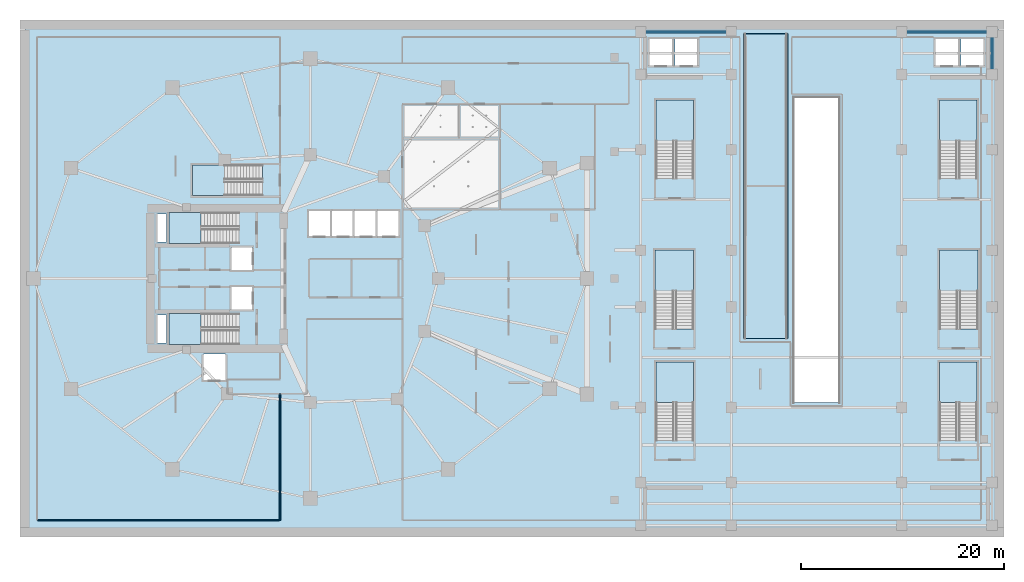
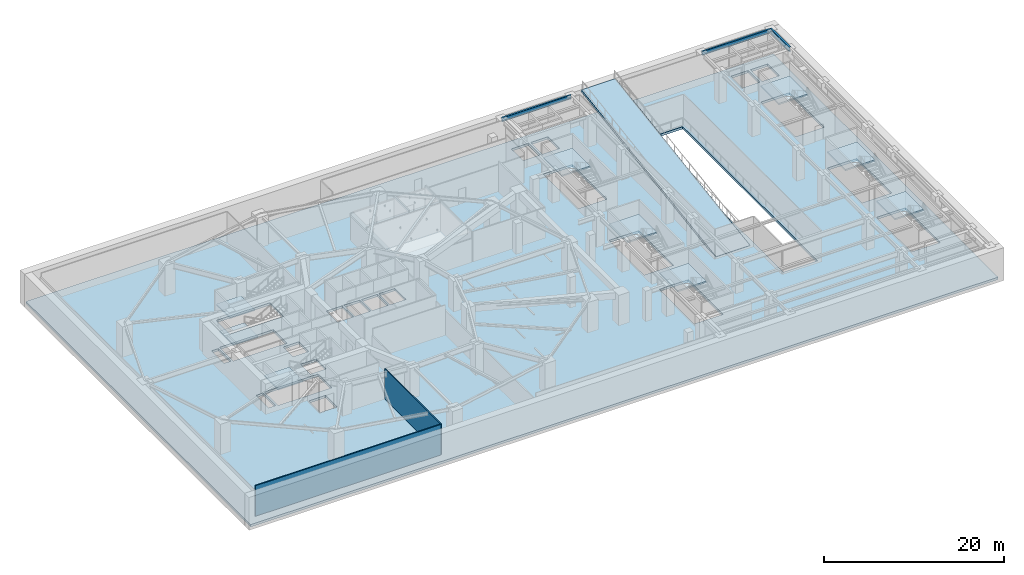
# One storey, part 3 of 16: 11 slabs, 3 beams, 2 walls, 9 elements without a shape of their own.
"""IFC4 building model written with IfcOpenShell, lengths in metres."""

from ifc_helpers import new_model, si_unit, direction, frame, frame_2d, origin, origin_2d, place, context, subcontext, project, spatial, polyline, rectangle, i_section, outline, extrude, material, layer, layer_set, material_profile, profile_set, type_object, element, aggregate, save


model = new_model("IFC4")

# Units and contexts
model_context = context("Model", 3, precision=1e-05, world=origin(), true_north=direction((0.0, 1.0)))
body_context = subcontext(model_context, "Body", "Model", "MODEL_VIEW")
ifc_project = project(units=[si_unit("LENGTHUNIT", "METRE"), si_unit("AREAUNIT", "SQUARE_METRE"), si_unit("VOLUMEUNIT", "CUBIC_METRE"), si_unit("PLANEANGLEUNIT", "RADIAN"), si_unit("MASSUNIT", "GRAM", prefix="KILO")], contexts=[model_context])

# Site, building, storey
site_placement = place(None, origin())
site = spatial("IfcSite", under=ifc_project, at=site_placement, CompositionType="ELEMENT")
building_placement = place(site_placement, origin())
building = spatial("IfcBuilding", under=site, at=building_placement, Name="Kolvaren Gate Tower and Convention Centre", CompositionType="ELEMENT")
storey_placement = place(building_placement, frame((0.0, 0.0, -4.5)))
storey = spatial("IfcBuildingStorey", under=building, at=storey_placement, Name="B1", CompositionType="ELEMENT", Elevation=-4.5)

# Beams
ifc_material_1 = material(Name="Structural steel ASTM A992 Grade 345 MPa", Category="steel")
ifc_material_profile_1 = material_profile(ifc_material_1, i_section(OverallWidth=0.2119140625, OverallDepth=0.5439453125, WebThickness=0.01318359375, FlangeThickness=0.021240234375, at=origin_2d()), Name="W530X123")
ifc_profile_set_1 = profile_set([ifc_material_profile_1], Name="Structural steel ASTM A992 Grade 345 MPa")
beam_type_1 = type_object("IfcBeamType", Name="STR-BM-W530X123", PredefinedType="BEAM", material=ifc_profile_set_1)
for number, where, z_axis, x_axis, name in (
    (1, (62.699951171875, 51.300048828125, 3.867919921875), (1.0, 0.0, 0.0), (0.0, 1.0, 0.0), "Convention B1 Transverse Girder CTG-18"),
    (2, (88.39990234375, 51.300048828125, 3.867919921875), (1.0, 0.0, 0.0), (0.0, 1.0, 0.0), "Convention B1 Transverse Girder CTG-38"),
):
    element("IfcBeam", number, at=place(storey_placement, frame(where, z_axis=z_axis, x_axis=x_axis)), inside=storey, type_object=beam_type_1, Name=name, PredefinedType="BEAM", context=body_context, shape_type="SweptSolid", body=[
        extrude(i_section(OverallWidth=0.2119140625, OverallDepth=0.5439453125, WebThickness=0.01318359375, FlangeThickness=0.021240234375, at=origin_2d()), origin(), (0.0, 0.0, 1.0), 8.900146484375),
    ])
ifc_material_profile_2 = material_profile(ifc_material_1, i_section(OverallWidth=0.22998046875, OverallDepth=0.616943359375, WebThickness=0.01318359375, FlangeThickness=0.022216796875, at=origin_2d()), Name="W610X140")
ifc_profile_set_2 = profile_set([ifc_material_profile_2], Name="Structural steel ASTM A992 Grade 345 MPa")
beam_type_2 = type_object("IfcBeamType", Name="STR-BM-W610X140", PredefinedType="BEAM", material=ifc_profile_set_2)
beam_placement = place(storey_placement, frame((97.300048828125, 47.10009765625, 3.83154296875), z_axis=(0.0, 1.0, 0.0), x_axis=(-1.0, 0.0, 0.0)))
element("IfcBeam", 3, at=beam_placement, inside=storey, type_object=beam_type_2, Name="Convention B1 Longitudinal Girder CG-47", PredefinedType="BEAM", context=body_context, shape_type="SweptSolid", body=[
    extrude(i_section(OverallWidth=0.22998046875, OverallDepth=0.616943359375, WebThickness=0.01318359375, FlangeThickness=0.022216796875, at=origin_2d()), origin(), (0.0, 0.0, 1.0), 4.199951171875),
])

# Slab
ifc_material_2 = material(Name="Concrete C50/60", Category="concrete")
ifc_layer_1 = layer(ifc_material_2, 0.320068359375)
ifc_layer_set_1 = layer_set([ifc_layer_1], Name="Concrete C50/60")
slab_type_1 = type_object("IfcSlabType", Name="STR-SL-FLR-320", PredefinedType="FLOOR", material=ifc_layer_set_1)
slab_1_placement = place(storey_placement, frame((0.0, 0.0, -0.320068359375)))
element("IfcSlab", 4, at=slab_1_placement, inside=storey, type_object=slab_type_1, Name="Basement B1 Structural Slab", PredefinedType="FLOOR", context=body_context, shape_type="SweptSolid", body=[
    extrude(outline(polyline([(2.0, 2.0), (98.0, 2.0), (98.0, 52.0), (2.0, 52.0), (2.0, 2.0)]), holes=[polyline([(94.25, 50.60009765625), (96.449951171875, 50.60009765625), (96.449951171875, 48.0), (94.25, 48.0), (94.25, 50.60009765625)]), polyline([(92.10009765625, 22.050048828125), (92.10009765625, 29.800048828125), (95.89990234375, 29.800048828125), (95.89990234375, 22.050048828125), (92.10009765625, 22.050048828125)]), polyline([(92.10009765625, 36.85009765625), (92.10009765625, 44.60009765625), (95.800048828125, 44.60009765625), (95.800048828125, 36.85009765625), (92.10009765625, 36.85009765625)]), polyline([(92.10009765625, 11.050048828125), (92.10009765625, 18.800048828125), (95.800048828125, 18.800048828125), (95.800048828125, 11.050048828125), (92.10009765625, 11.050048828125)]), polyline([(91.75, 50.60009765625), (93.949951171875, 50.60009765625), (93.949951171875, 48.0), (91.75, 48.0), (91.75, 50.60009765625)]), polyline([(77.800048828125, 44.800048828125), (82.199951171875, 44.800048828125), (82.199951171875, 14.800048828125), (77.800048828125, 14.800048828125), (77.800048828125, 44.800048828125)]), polyline([(72.800048828125, 23.1201171875), (77.199951171875, 23.1201171875), (77.199951171875, 21.10009765625), (72.800048828125, 21.10009765625), (72.800048828125, 23.1201171875)]), polyline([(66.050048828125, 48.0), (66.050048828125, 50.60009765625), (68.25, 50.60009765625), (68.25, 48.0), (66.050048828125, 48.0)]), polyline([(67.89990234375, 36.85009765625), (64.199951171875, 36.85009765625), (64.199951171875, 44.60009765625), (67.89990234375, 44.60009765625), (67.89990234375, 36.85009765625)]), polyline([(67.89990234375, 22.050048828125), (64.10009765625, 22.050048828125), (64.10009765625, 29.800048828125), (67.89990234375, 29.800048828125), (67.89990234375, 22.050048828125)]), polyline([(67.89990234375, 11.050048828125), (64.199951171875, 11.050048828125), (64.199951171875, 18.800048828125), (67.89990234375, 18.800048828125), (67.89990234375, 11.050048828125)]), polyline([(63.550048828125, 50.60009765625), (65.75, 50.60009765625), (65.75, 48.0), (63.550048828125, 48.0), (63.550048828125, 50.60009765625)]), polyline([(36.75, 33.64990234375), (38.800048828125, 33.64990234375), (38.800048828125, 31.199951171875), (36.75, 31.199951171875), (36.75, 33.64990234375)]), polyline([(34.5, 31.199951171875), (34.5, 33.64990234375), (36.550048828125, 33.64990234375), (36.550048828125, 31.199951171875), (34.5, 31.199951171875)]), polyline([(32.25, 33.64990234375), (34.300048828125, 33.64990234375), (34.300048828125, 31.199951171875), (32.25, 31.199951171875), (32.25, 33.64990234375)]), polyline([(30.0, 33.64990234375), (32.050048828125, 33.64990234375), (32.050048828125, 31.199951171875), (30.0, 31.199951171875), (30.0, 33.64990234375)]), polyline([(25.39990234375, 35.159912109375), (18.5, 35.159912109375), (18.5, 38.199951171875), (25.39990234375, 38.199951171875), (25.39990234375, 35.159912109375)]), polyline([(22.35009765625, 30.0400390625), (24.39990234375, 30.0400390625), (24.39990234375, 27.840087890625), (22.35009765625, 27.840087890625), (22.35009765625, 30.0400390625)]), polyline([(22.35009765625, 23.9599609375), (22.35009765625, 26.159912109375), (24.39990234375, 26.159912109375), (24.39990234375, 23.9599609375), (22.35009765625, 23.9599609375)]), polyline([(23.10009765625, 33.5), (23.10009765625, 30.4599609375), (16.199951171875, 30.4599609375), (16.199951171875, 33.5), (23.10009765625, 33.5)]), polyline([(23.10009765625, 20.5), (16.199951171875, 20.5), (16.199951171875, 23.5400390625), (23.10009765625, 23.5400390625), (23.10009765625, 20.5)]), polyline([(19.60009765625, 17.0), (19.60009765625, 19.550048828125), (21.75, 19.550048828125), (21.75, 17.0), (19.60009765625, 17.0)]), polyline([(15.080078125, 23.419921875), (15.969970703125, 23.419921875), (15.969970703125, 20.6298828125), (15.080078125, 20.6298828125), (15.080078125, 23.419921875)]), polyline([(15.080078125, 33.3701171875), (15.969970703125, 33.3701171875), (15.969970703125, 30.580078125), (15.080078125, 30.580078125), (15.080078125, 33.3701171875)])]), origin(), (0.0, 0.0, 1.0), 0.320068359375),
])

# Stair, slab
stair_type_1 = type_object("IfcStairType", Name="STR-STAIR-CORE", PredefinedType="HALF_TURN_STAIR", material=ifc_material_2)
stair_1_placement = place(storey_placement, origin())
stair_1 = element("IfcStair", 5, at=stair_1_placement, inside=storey, type_object=stair_type_1, Name="B1 Tower North Exit Stair ST-T1", PredefinedType="HALF_TURN_STAIR")
ifc_layer_2 = layer(ifc_material_2, 0.199951171875)
ifc_layer_set_2 = layer_set([ifc_layer_2], Name="Concrete C50/60")
slab_type_2 = type_object("IfcSlabType", Name="STR-SL-LAND-200", PredefinedType="LANDING", material=ifc_layer_set_2)
slab_2_placement = place(storey_placement, frame((0.0, 0.0, 2.050048828125)))
slab_2 = element("IfcSlab", 6, at=slab_2_placement, type_object=slab_type_2, Name="ST-T1 landing 1", PredefinedType="LANDING", context=body_context, shape_type="SweptSolid", body=[
    extrude(outline(polyline([(19.3798828125, 33.5), (16.199951171875, 33.5), (16.199951171875, 30.4599609375), (19.3798828125, 30.4599609375), (19.3798828125, 33.5)])), origin(), (0.0, 0.0, 1.0), 0.199951171875),
])
aggregate(stair_1, [slab_2])

stair_2_placement = place(storey_placement, origin())
stair_2 = element("IfcStair", 7, at=stair_2_placement, inside=storey, type_object=stair_type_1, Name="B1 Tower South Exit Stair ST-T2", PredefinedType="HALF_TURN_STAIR")
slab_3_placement = place(storey_placement, frame((0.0, 0.0, 2.050048828125)))
slab_3 = element("IfcSlab", 8, at=slab_3_placement, type_object=slab_type_2, Name="ST-T2 landing 1", PredefinedType="LANDING", context=body_context, shape_type="SweptSolid", body=[
    extrude(outline(polyline([(19.3798828125, 23.5400390625), (16.199951171875, 23.5400390625), (16.199951171875, 20.5), (19.3798828125, 20.5), (19.3798828125, 23.5400390625)])), origin(), (0.0, 0.0, 1.0), 0.199951171875),
])
aggregate(stair_2, [slab_3])

stair_3_placement = place(storey_placement, origin())
stair_3 = element("IfcStair", 9, at=stair_3_placement, inside=storey, type_object=stair_type_1, Name="B1 Tower Mid-Zone Exit Stair ST-T3", PredefinedType="HALF_TURN_STAIR")
slab_4_placement = place(storey_placement, frame((0.0, 0.0, 2.050048828125)))
slab_4 = element("IfcSlab", 10, at=slab_4_placement, type_object=slab_type_2, Name="ST-T3 landing 1", PredefinedType="LANDING", context=body_context, shape_type="SweptSolid", body=[
    extrude(outline(polyline([(21.679931640625, 38.199951171875), (18.5, 38.199951171875), (18.5, 35.159912109375), (21.679931640625, 35.159912109375), (21.679931640625, 38.199951171875)])), origin(), (0.0, 0.0, 1.0), 0.199951171875),
])
aggregate(stair_3, [slab_4])

stair_type_2 = type_object("IfcStairType", Name="STR-STAIR-CONV", PredefinedType="HALF_TURN_STAIR", material=ifc_material_2)
stair_4_placement = place(storey_placement, origin())
stair_4 = element("IfcStair", 11, at=stair_4_placement, inside=storey, type_object=stair_type_2, Name="B1 Convention NW Exit Stair ST-C1", PredefinedType="HALF_TURN_STAIR")
slab_5_placement = place(storey_placement, frame((0.0, 0.0, 2.050048828125)))
slab_5 = element("IfcSlab", 12, at=slab_5_placement, type_object=slab_type_2, Name="ST-C1 landing 1", PredefinedType="LANDING", context=body_context, shape_type="SweptSolid", body=[
    extrude(outline(polyline([(67.89990234375, 40.570068359375), (67.89990234375, 44.60009765625), (64.199951171875, 44.60009765625), (64.199951171875, 40.570068359375), (67.89990234375, 40.570068359375)])), origin(), (0.0, 0.0, 1.0), 0.199951171875),
])
aggregate(stair_4, [slab_5])

stair_5_placement = place(storey_placement, origin())
stair_5 = element("IfcStair", 13, at=stair_5_placement, inside=storey, type_object=stair_type_2, Name="B1 Convention SW Exit Stair ST-C2", PredefinedType="HALF_TURN_STAIR")
slab_6_placement = place(storey_placement, frame((0.0, 0.0, 2.050048828125)))
slab_6 = element("IfcSlab", 14, at=slab_6_placement, type_object=slab_type_2, Name="ST-C2 landing 1", PredefinedType="LANDING", context=body_context, shape_type="SweptSolid", body=[
    extrude(outline(polyline([(67.89990234375, 14.77001953125), (67.89990234375, 18.800048828125), (64.199951171875, 18.800048828125), (64.199951171875, 14.77001953125), (67.89990234375, 14.77001953125)])), origin(), (0.0, 0.0, 1.0), 0.199951171875),
])
aggregate(stair_5, [slab_6])

stair_6_placement = place(storey_placement, origin())
stair_6 = element("IfcStair", 15, at=stair_6_placement, inside=storey, type_object=stair_type_2, Name="B1 Convention NE Exit Stair ST-C3", PredefinedType="HALF_TURN_STAIR")
slab_7_placement = place(storey_placement, frame((0.0, 0.0, 2.050048828125)))
slab_7 = element("IfcSlab", 16, at=slab_7_placement, type_object=slab_type_2, Name="ST-C3 landing 1", PredefinedType="LANDING", context=body_context, shape_type="SweptSolid", body=[
    extrude(outline(polyline([(95.800048828125, 40.570068359375), (95.800048828125, 44.60009765625), (92.10009765625, 44.60009765625), (92.10009765625, 40.570068359375), (95.800048828125, 40.570068359375)])), origin(), (0.0, 0.0, 1.0), 0.199951171875),
])
aggregate(stair_6, [slab_7])

stair_7_placement = place(storey_placement, origin())
stair_7 = element("IfcStair", 17, at=stair_7_placement, inside=storey, type_object=stair_type_2, Name="B1 Convention SE Exit Stair ST-C4", PredefinedType="HALF_TURN_STAIR")
slab_8_placement = place(storey_placement, frame((0.0, 0.0, 2.050048828125)))
slab_8 = element("IfcSlab", 18, at=slab_8_placement, type_object=slab_type_2, Name="ST-C4 landing 1", PredefinedType="LANDING", context=body_context, shape_type="SweptSolid", body=[
    extrude(outline(polyline([(95.800048828125, 14.77001953125), (95.800048828125, 18.800048828125), (92.10009765625, 18.800048828125), (92.10009765625, 14.77001953125), (95.800048828125, 14.77001953125)])), origin(), (0.0, 0.0, 1.0), 0.199951171875),
])
aggregate(stair_7, [slab_8])

stair_8_placement = place(storey_placement, origin())
stair_8 = element("IfcStair", 19, at=stair_8_placement, inside=storey, type_object=stair_type_2, Name="B1 Convention West Assembly Stair ST-C5", PredefinedType="HALF_TURN_STAIR")
slab_9_placement = place(storey_placement, frame((0.0, 0.0, 2.050048828125)))
slab_9 = element("IfcSlab", 20, at=slab_9_placement, type_object=slab_type_2, Name="ST-C5 landing 1", PredefinedType="LANDING", context=body_context, shape_type="SweptSolid", body=[
    extrude(outline(polyline([(67.89990234375, 25.77001953125), (67.89990234375, 29.800048828125), (64.10009765625, 29.800048828125), (64.10009765625, 25.77001953125), (67.89990234375, 25.77001953125)])), origin(), (0.0, 0.0, 1.0), 0.199951171875),
])
aggregate(stair_8, [slab_9])

stair_9_placement = place(storey_placement, origin())
stair_9 = element("IfcStair", 21, at=stair_9_placement, inside=storey, type_object=stair_type_2, Name="B1 Convention East Assembly Stair ST-C6", PredefinedType="HALF_TURN_STAIR")
slab_10_placement = place(storey_placement, frame((0.0, 0.0, 2.050048828125)))
slab_10 = element("IfcSlab", 22, at=slab_10_placement, type_object=slab_type_2, Name="ST-C6 landing 1", PredefinedType="LANDING", context=body_context, shape_type="SweptSolid", body=[
    extrude(outline(polyline([(95.89990234375, 25.77001953125), (95.89990234375, 29.800048828125), (92.10009765625, 29.800048828125), (92.10009765625, 25.77001953125), (95.89990234375, 25.77001953125)])), origin(), (0.0, 0.0, 1.0), 0.199951171875),
])
aggregate(stair_9, [slab_10])

# Slab
ifc_layer_3 = layer(ifc_material_2, 0.300048828125)
ifc_layer_set_3 = layer_set([ifc_layer_3], Name="Concrete C50/60")
slab_type_3 = type_object("IfcSlabType", Name="STR-SL-VRAMP-300", PredefinedType="USERDEFINED", material=ifc_layer_set_3)
slab_11_placement = place(storey_placement, frame((72.81494140625, 21.114990234375, 0.0), z_axis=(0.0, -0.14848581154, 0.988914538153), x_axis=(1.0, 0.0, 0.0)))
element("IfcSlab", 23, at=slab_11_placement, inside=storey, type_object=slab_type_3, Name="Basement B1 to Ground Car Park Vehicle Ramp Slab R1", ObjectType="VEHICLE_RAMP", PredefinedType="USERDEFINED", context=body_context, shape_type="SweptSolid", body=[
    extrude(outline(polyline([(0.0, 0.0), (4.3701171875, 0.0), (4.3701171875, 30.30592588828414), (0.0, 30.30592588828414), (0.0, 0.0)])), origin(), (0.0, 0.0, -1.0), 0.300048828125),
])

# Walls
ifc_material_3 = material(Name="Fire-Rated Acoustic Gypsum Stud Partition", Category="gypsum")
ifc_layer_4 = layer(ifc_material_3, 0.1201171875)
ifc_layer_set_4 = layer_set([ifc_layer_4], Name="Fire-Rated Acoustic Gypsum Stud Partition")
wall_type = type_object("IfcWallType", Name="ARCH-WL-PART-120", PredefinedType="PARTITIONING", material=ifc_layer_set_4)
wall_1_placement = place(storey_placement, frame((27.14990234375, 3.199951171875, 0.0), z_axis=(0.0, 0.0, 1.0), x_axis=(0.0, 1.0, 0.0)))
element("IfcWall", 24, at=wall_1_placement, inside=storey, type_object=wall_type, Name="Interior Partition WL-B1-INT-016", PredefinedType="PARTITIONING", context=body_context, shape_type="SweptSolid", body=[
    extrude(rectangle(XDim=12.449951171875, YDim=0.1201171875, at=frame_2d((6.22509765625, 0.0))), origin(), (0.0, 0.0, 1.0), 4.139892578125),
])
wall_2_placement = place(storey_placement, frame((3.261962890625, 3.199951171875, 0.0), z_axis=(0.0, 0.0, 1.0), x_axis=(1.0, 0.0, 0.0)))
element("IfcWall", 25, at=wall_2_placement, inside=storey, type_object=wall_type, Name="Interior Partition WL-B1-INT-033", PredefinedType="PARTITIONING", context=body_context, shape_type="SweptSolid", body=[
    extrude(rectangle(XDim=23.825927734375, YDim=0.1201171875, at=frame_2d((11.9130859375, 0.0))), origin(), (0.0, 0.0, 1.0), 4.139892578125),
])

save(model, "model.ifc")
